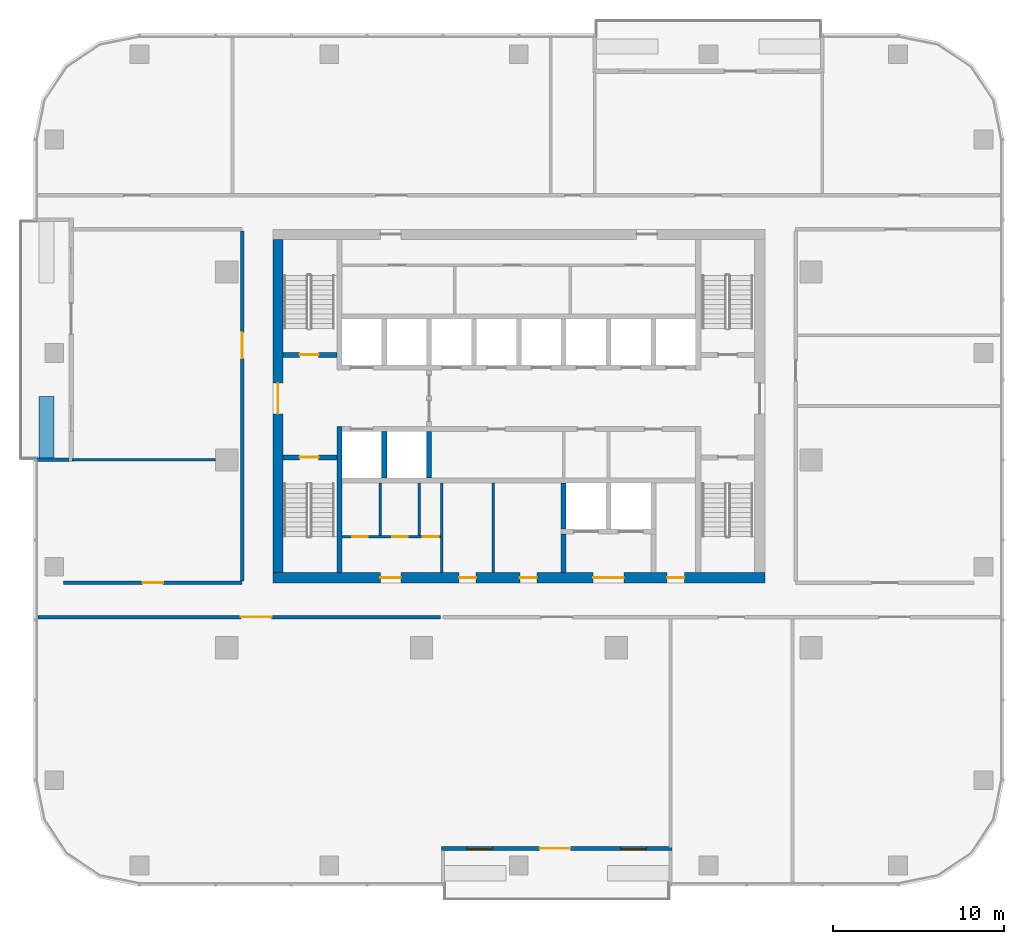
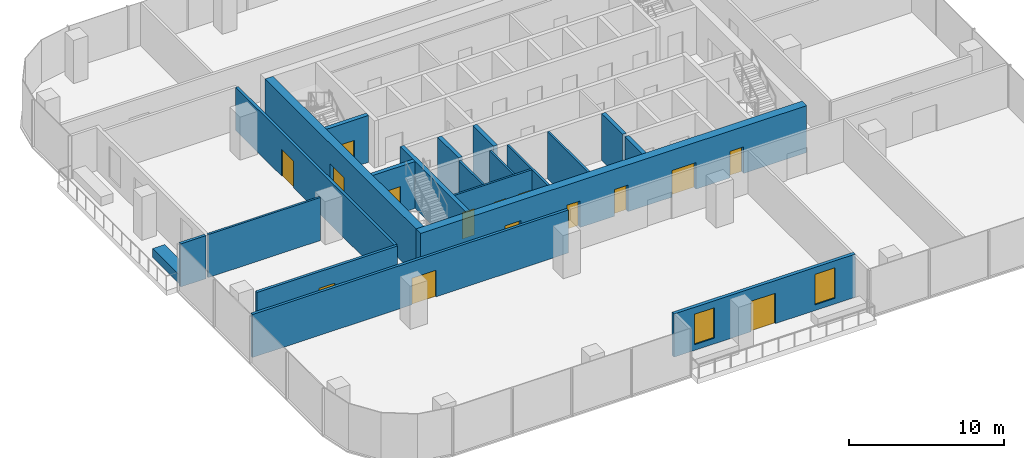
# One storey, part 7 of 14: 21 walls, 15 doors, 2 windows, 17 openings.
"""IFC4 building model written with IfcOpenShell, lengths in metres."""

from ifc_helpers import new_model, si_unit, direction, frame, frame_2d, origin, place, context, subcontext, project, spatial, rectangle, extrude, material, layer, layer_set, type_object, element, fill, save


model = new_model("IFC4")

# Units and contexts
model_context = context("Model", 3, precision=1e-05, world=origin(), true_north=direction((0.0, 1.0)))
body_context = subcontext(model_context, "Body", "Model", "MODEL_VIEW")
ifc_project = project(units=[si_unit("LENGTHUNIT", "METRE"), si_unit("AREAUNIT", "SQUARE_METRE"), si_unit("VOLUMEUNIT", "CUBIC_METRE"), si_unit("PLANEANGLEUNIT", "RADIAN"), si_unit("MASSUNIT", "GRAM", prefix="KILO")], contexts=[model_context])

# Site, building, storey
site_placement = place(None, origin())
site = spatial("IfcSite", under=ifc_project, at=site_placement, CompositionType="ELEMENT")
building_placement = place(site_placement, origin())
building = spatial("IfcBuilding", under=site, at=building_placement, Name="Mopane Tessera Tower", CompositionType="ELEMENT")
storey_placement = place(building_placement, frame((0.0, 0.0, 255.0)))
storey = spatial("IfcBuildingStorey", under=building, at=storey_placement, Name="L55", CompositionType="ELEMENT", Elevation=255.0)

# Wall, openings, doors
ifc_material_1 = material(Name="Fire-rated gypsum board partition")
ifc_layer_1 = layer(ifc_material_1, 0.14990234375)
ifc_layer_set_1 = layer_set([ifc_layer_1], Name="Fire-rated gypsum board partition")
wall_type_1 = type_object("IfcWallType", Name="Core room partition 150 mm", PredefinedType="PARTITIONING", material=ifc_layer_set_1)
wall_1_placement = place(storey_placement, frame((-10.35009765625, -4.5, 0.0), z_axis=(0.0, 0.0, 1.0), x_axis=(1.0, 0.0, 0.0)))
wall_1 = element("IfcWall", 1, at=wall_1_placement, inside=storey, type_object=wall_type_1, Name="L55 WC partition", PredefinedType="PARTITIONING", context=body_context, shape_type="SweptSolid", body=[
    extrude(rectangle(XDim=5.775146484375, YDim=0.14990234375, at=frame_2d((2.8876953125, 0.0))), origin(), (0.0, 0.0, 1.0), 3.699951171875),
])
opening_1_placement = place(wall_1_placement, frame((0.60009765625, 0.0, 0.0)))
opening_1 = element("IfcOpeningElement", 2, at=opening_1_placement, cuts=wall_1, Name="Opening WD1", PredefinedType="OPENING", context=body_context, shape_type="SweptSolid", body=[
    extrude(rectangle(XDim=0.89990234375, YDim=2.10009765625, at=frame_2d((0.449951171875, 1.050048828125))), frame((0.0, 0.0869140625, 0.0), z_axis=(0.0, -1.0, 0.0), x_axis=(1.0, 0.0, 0.0)), (0.0, 0.0, 1.0), 0.173828125),
])
opening_2_placement = place(wall_1_placement, frame((2.93994140625, 0.0, 0.0)))
opening_2 = element("IfcOpeningElement", 3, at=opening_2_placement, cuts=wall_1, Name="Opening WD1", PredefinedType="OPENING", context=body_context, shape_type="SweptSolid", body=[
    extrude(rectangle(XDim=0.89990234375, YDim=2.10009765625, at=frame_2d((0.449951171875, 1.050048828125))), frame((0.0, 0.0869140625, 0.0), z_axis=(0.0, -1.0, 0.0), x_axis=(1.0, 0.0, 0.0)), (0.0, 0.0, 1.0), 0.173828125),
])
opening_3_placement = place(wall_1_placement, frame((4.715087890625, 0.0, 0.0)))
opening_3 = element("IfcOpeningElement", 4, at=opening_3_placement, cuts=wall_1, Name="Opening WD2", PredefinedType="OPENING", context=body_context, shape_type="SweptSolid", body=[
    extrude(rectangle(XDim=0.949951171875, YDim=2.10009765625, at=frame_2d((0.47509765625, 1.050048828125))), frame((0.0, 0.0869140625, 0.0), z_axis=(0.0, -1.0, 0.0), x_axis=(1.0, 0.0, 0.0)), (0.0, 0.0, 1.0), 0.173828125),
])
ifc_material_2 = material(Name="Timber door", Category="wood")
door_type_1 = type_object("IfcDoorType", Name="Accessible WC door 950 x 2100", OperationType="SINGLE_SWING_LEFT", PredefinedType="DOOR", material=ifc_material_2)
door_1_placement = place(opening_3_placement, origin())
door_1 = element("IfcDoor", 5, at=door_1_placement, inside=storey, type_object=door_type_1, Name="L55 Accessible WC door", OperationType="SINGLE_SWING_LEFT", OverallHeight=2.10009765625, OverallWidth=0.949951171875, PredefinedType="DOOR", context=body_context, shape_type="SweptSolid", body=[
    extrude(rectangle(XDim=0.949951171875, YDim=2.10009765625, at=frame_2d((0.47509765625, 1.050048828125))), frame((0.0, 0.02490234375, 0.0), z_axis=(0.0, -1.0, 0.0), x_axis=(1.0, 0.0, 0.0)), (0.0, 0.0, 1.0), 0.050048828125),
])
fill(opening_3, door_1)
ifc_material_3 = material(Name="Timber door", Category="wood")
door_type_2 = type_object("IfcDoorType", Name="WC cubicle door 900 x 2100", OperationType="SINGLE_SWING_LEFT", PredefinedType="DOOR", material=ifc_material_3)
door_2_placement = place(opening_1_placement, origin())
door_2 = element("IfcDoor", 6, at=door_2_placement, inside=storey, type_object=door_type_2, Name="L55 Men's WC door", OperationType="SINGLE_SWING_LEFT", OverallHeight=2.10009765625, OverallWidth=0.89990234375, PredefinedType="DOOR", context=body_context, shape_type="SweptSolid", body=[
    extrude(rectangle(XDim=0.89990234375, YDim=2.10009765625, at=frame_2d((0.449951171875, 1.050048828125))), frame((0.0, 0.02490234375, 0.0), z_axis=(0.0, -1.0, 0.0), x_axis=(1.0, 0.0, 0.0)), (0.0, 0.0, 1.0), 0.050048828125),
])
fill(opening_1, door_2)
door_3_placement = place(opening_2_placement, origin())
door_3 = element("IfcDoor", 7, at=door_3_placement, inside=storey, type_object=door_type_2, Name="L55 Women's WC door", OperationType="SINGLE_SWING_LEFT", OverallHeight=2.10009765625, OverallWidth=0.89990234375, PredefinedType="DOOR", context=body_context, shape_type="SweptSolid", body=[
    extrude(rectangle(XDim=0.89990234375, YDim=2.10009765625, at=frame_2d((0.449951171875, 1.050048828125))), frame((0.0, 0.02490234375, 0.0), z_axis=(0.0, -1.0, 0.0), x_axis=(1.0, 0.0, 0.0)), (0.0, 0.0, 1.0), 0.050048828125),
])
fill(opening_2, door_3)

# Walls
for number, where, z_axis, x_axis, name in (
    (8, (-8.10009765625, -4.425048828125, 0.0), (0.0, 0.0, 1.0), (0.0, 1.0, 0.0), "L55 WC partition"),
    (9, (-5.820068359375, -4.425048828125, 0.0), (0.0, 0.0, 1.0), (0.0, 1.0, 0.0), "L55 WC partition"),
):
    element("IfcWall", number, at=place(storey_placement, frame(where, z_axis=z_axis, x_axis=x_axis)), inside=storey, type_object=wall_type_1, Name=name, PredefinedType="PARTITIONING", context=body_context, shape_type="SweptSolid", body=[
        extrude(rectangle(XDim=3.074951171875, YDim=0.14990234375, at=frame_2d((1.53759765625, 0.0))), origin(), (0.0, 0.0, 1.0), 3.699951171875),
    ])
for number, where, z_axis, x_axis, name in (
    (10, (-4.5, -6.60009765625, 0.0), (0.0, 0.0, 1.0), (0.0, 1.0, 0.0), "L55 Room partition"),
    (11, (-1.5, -6.60009765625, 0.0), (0.0, 0.0, 1.0), (0.0, 1.0, 0.0), "L55 Room partition"),
):
    element("IfcWall", number, at=place(storey_placement, frame(where, z_axis=z_axis, x_axis=x_axis)), inside=storey, type_object=wall_type_1, Name=name, PredefinedType="PARTITIONING", context=body_context, shape_type="SweptSolid", body=[
        extrude(rectangle(XDim=5.25, YDim=0.14990234375, at=frame_2d((2.625, 0.0))), origin(), (0.0, 0.0, 1.0), 3.699951171875),
    ])

# Wall, openings, doors
ifc_material_4 = material(Name="Concrete C70/85", Category="concrete")
ifc_layer_2 = layer(ifc_material_4, 0.60009765625)
ifc_layer_set_2 = layer_set([ifc_layer_2], Name="Concrete C70/85")
wall_type_2 = type_object("IfcWallType", Name="Core shear wall 600 mm", PredefinedType="SHEAR", material=ifc_layer_set_2)
wall_2_placement = place(storey_placement, frame((-14.39990234375, -6.89990234375, 0.0), z_axis=(0.0, 0.0, 1.0), x_axis=(1.0, 0.0, 0.0)))
wall_2 = element("IfcWall", 12, at=wall_2_placement, inside=storey, type_object=wall_type_2, Name="L55 Core wall south", PredefinedType="SHEAR", context=body_context, shape_type="SweptSolid", body=[
    extrude(rectangle(XDim=28.7998046875, YDim=0.60009765625, at=frame_2d((14.39990234375, 0.0))), origin(), (0.0, 0.0, 1.0), 3.699951171875),
])
opening_4_placement = place(wall_2_placement, frame((6.300048828125, 0.0, 0.0)))
opening_4 = element("IfcOpeningElement", 13, at=opening_4_placement, cuts=wall_2, Name="Opening WD3", PredefinedType="OPENING", context=body_context, shape_type="SweptSolid", body=[
    extrude(rectangle(XDim=1.199951171875, YDim=2.10009765625, at=frame_2d((0.60009765625, 1.050048828125))), frame((0.0, 0.31201171875, 0.0), z_axis=(0.0, -1.0, 0.0), x_axis=(1.0, 0.0, 0.0)), (0.0, 0.0, 1.0), 0.6240234375),
])
opening_5_placement = place(wall_2_placement, frame((10.89990234375, 0.0, 0.0)))
opening_5 = element("IfcOpeningElement", 14, at=opening_5_placement, cuts=wall_2, Name="Opening RD1", PredefinedType="OPENING", context=body_context, shape_type="SweptSolid", body=[
    extrude(rectangle(XDim=1.0, YDim=2.10009765625, at=frame_2d((0.5, 1.050048828125))), frame((0.0, 0.31201171875, 0.0), z_axis=(0.0, -1.0, 0.0), x_axis=(1.0, 0.0, 0.0)), (0.0, 0.0, 1.0), 0.6240234375),
])
opening_6_placement = place(wall_2_placement, frame((14.46240234375, 0.0, 0.0)))
opening_6 = element("IfcOpeningElement", 15, at=opening_6_placement, cuts=wall_2, Name="Opening RD1", PredefinedType="OPENING", context=body_context, shape_type="SweptSolid", body=[
    extrude(rectangle(XDim=1.0, YDim=2.10009765625, at=frame_2d((0.5, 1.050048828125))), frame((0.0, 0.31201171875, 0.0), z_axis=(0.0, -1.0, 0.0), x_axis=(1.0, 0.0, 0.0)), (0.0, 0.0, 1.0), 0.6240234375),
])
opening_7_placement = place(wall_2_placement, frame((18.75, 0.0, 0.0)))
opening_7 = element("IfcOpeningElement", 16, at=opening_7_placement, cuts=wall_2, Name="Opening SD2", PredefinedType="OPENING", context=body_context, shape_type="SweptSolid", body=[
    extrude(rectangle(XDim=1.800048828125, YDim=2.10009765625, at=frame_2d((0.89990234375, 1.050048828125))), frame((0.0, 0.31201171875, 0.0), z_axis=(0.0, -1.0, 0.0), x_axis=(1.0, 0.0, 0.0)), (0.0, 0.0, 1.0), 0.6240234375),
])
opening_8_placement = place(wall_2_placement, frame((23.08740234375, 0.0, 0.0)))
opening_8 = element("IfcOpeningElement", 17, at=opening_8_placement, cuts=wall_2, Name="Opening RD1", PredefinedType="OPENING", context=body_context, shape_type="SweptSolid", body=[
    extrude(rectangle(XDim=1.0, YDim=2.10009765625, at=frame_2d((0.5, 1.050048828125))), frame((0.0, 0.31201171875, 0.0), z_axis=(0.0, -1.0, 0.0), x_axis=(1.0, 0.0, 0.0)), (0.0, 0.0, 1.0), 0.6240234375),
])
ifc_material_5 = material(Name="Steel fire door", Category="steel")
door_type_3 = type_object("IfcDoorType", Name="Core entrance double door 1800 x 2100", OperationType="DOUBLE_DOOR_SINGLE_SWING", PredefinedType="DOOR", material=ifc_material_5)
door_4_placement = place(opening_7_placement, origin())
door_4 = element("IfcDoor", 18, at=door_4_placement, inside=storey, type_object=door_type_3, Name="L55 Service lobby door", OperationType="DOUBLE_DOOR_SINGLE_SWING", OverallHeight=2.10009765625, OverallWidth=1.800048828125, PredefinedType="DOOR", context=body_context, shape_type="SweptSolid", body=[
    extrude(rectangle(XDim=1.800048828125, YDim=2.10009765625, at=frame_2d((0.89990234375, 1.050048828125))), frame((0.0, 0.02490234375, 0.0), z_axis=(0.0, -1.0, 0.0), x_axis=(1.0, 0.0, 0.0)), (0.0, 0.0, 1.0), 0.050048828125),
])
fill(opening_7, door_4)
ifc_material_6 = material(Name="Timber door", Category="wood")
door_type_4 = type_object("IfcDoorType", Name="Core room door 1000 x 2100", OperationType="SINGLE_SWING_LEFT", PredefinedType="DOOR", material=ifc_material_6)
door_5_placement = place(opening_5_placement, origin())
door_5 = element("IfcDoor", 19, at=door_5_placement, inside=storey, type_object=door_type_4, Name="L55 Room door", OperationType="SINGLE_SWING_LEFT", OverallHeight=2.10009765625, OverallWidth=1.0, PredefinedType="DOOR", context=body_context, shape_type="SweptSolid", body=[
    extrude(rectangle(XDim=1.0, YDim=2.10009765625, at=frame_2d((0.5, 1.050048828125))), frame((0.0, 0.02490234375, 0.0), z_axis=(0.0, -1.0, 0.0), x_axis=(1.0, 0.0, 0.0)), (0.0, 0.0, 1.0), 0.050048828125),
])
fill(opening_5, door_5)
door_6_placement = place(opening_6_placement, origin())
door_6 = element("IfcDoor", 20, at=door_6_placement, inside=storey, type_object=door_type_4, Name="L55 Room door", OperationType="SINGLE_SWING_LEFT", OverallHeight=2.10009765625, OverallWidth=1.0, PredefinedType="DOOR", context=body_context, shape_type="SweptSolid", body=[
    extrude(rectangle(XDim=1.0, YDim=2.10009765625, at=frame_2d((0.5, 1.050048828125))), frame((0.0, 0.02490234375, 0.0), z_axis=(0.0, -1.0, 0.0), x_axis=(1.0, 0.0, 0.0)), (0.0, 0.0, 1.0), 0.050048828125),
])
fill(opening_6, door_6)
door_7_placement = place(opening_8_placement, origin())
door_7 = element("IfcDoor", 21, at=door_7_placement, inside=storey, type_object=door_type_4, Name="L55 Room door", OperationType="SINGLE_SWING_LEFT", OverallHeight=2.10009765625, OverallWidth=1.0, PredefinedType="DOOR", context=body_context, shape_type="SweptSolid", body=[
    extrude(rectangle(XDim=1.0, YDim=2.10009765625, at=frame_2d((0.5, 1.050048828125))), frame((0.0, 0.02490234375, 0.0), z_axis=(0.0, -1.0, 0.0), x_axis=(1.0, 0.0, 0.0)), (0.0, 0.0, 1.0), 0.050048828125),
])
fill(opening_8, door_7)
ifc_material_7 = material(Name="Timber door", Category="wood")
door_type_5 = type_object("IfcDoorType", Name="WC lobby door 1200 x 2100", OperationType="SINGLE_SWING_LEFT", PredefinedType="DOOR", material=ifc_material_7)
door_8_placement = place(opening_4_placement, origin())
door_8 = element("IfcDoor", 22, at=door_8_placement, inside=storey, type_object=door_type_5, Name="L55 WC lobby door", OperationType="SINGLE_SWING_LEFT", OverallHeight=2.10009765625, OverallWidth=1.199951171875, PredefinedType="DOOR", context=body_context, shape_type="SweptSolid", body=[
    extrude(rectangle(XDim=1.199951171875, YDim=2.10009765625, at=frame_2d((0.60009765625, 1.050048828125))), frame((0.0, 0.02490234375, 0.0), z_axis=(0.0, -1.0, 0.0), x_axis=(1.0, 0.0, 0.0)), (0.0, 0.0, 1.0), 0.050048828125),
])
fill(opening_4, door_8)

# Wall, opening, door
wall_3_placement = place(storey_placement, frame((-14.10009765625, -6.60009765625, 0.0), z_axis=(0.0, 0.0, 1.0), x_axis=(0.0, 1.0, 0.0)))
wall_3 = element("IfcWall", 23, at=wall_3_placement, inside=storey, type_object=wall_type_2, Name="L55 Core wall west", PredefinedType="SHEAR", context=body_context, shape_type="SweptSolid", body=[
    extrude(rectangle(XDim=19.5, YDim=0.60009765625, at=frame_2d((9.75, 0.0))), origin(), (0.0, 0.0, 1.0), 3.699951171875),
])
opening_9_placement = place(wall_3_placement, frame((9.300048828125, 0.0, 0.0)))
opening_9 = element("IfcOpeningElement", 24, at=opening_9_placement, cuts=wall_3, Name="Opening SD2", PredefinedType="OPENING", context=body_context, shape_type="SweptSolid", body=[
    extrude(rectangle(XDim=1.800048828125, YDim=2.10009765625, at=frame_2d((0.89990234375, 1.050048828125))), frame((0.0, 0.31201171875, 0.0), z_axis=(0.0, -1.0, 0.0), x_axis=(1.0, 0.0, 0.0)), (0.0, 0.0, 1.0), 0.6240234375),
])
door_9_placement = place(opening_9_placement, origin())
door_9 = element("IfcDoor", 25, at=door_9_placement, inside=storey, type_object=door_type_3, Name="L55 Core entrance door west", OperationType="DOUBLE_DOOR_SINGLE_SWING", OverallHeight=2.10009765625, OverallWidth=1.800048828125, PredefinedType="DOOR", context=body_context, shape_type="SweptSolid", body=[
    extrude(rectangle(XDim=1.800048828125, YDim=2.10009765625, at=frame_2d((0.89990234375, 1.050048828125))), frame((0.0, 0.02490234375, 0.0), z_axis=(0.0, -1.0, 0.0), x_axis=(1.0, 0.0, 0.0)), (0.0, 0.0, 1.0), 0.050048828125),
])
fill(opening_9, door_9)

# Wall
ifc_material_8 = material(Name="Concrete C60/75", Category="concrete")
ifc_layer_3 = layer(ifc_material_8, 0.300048828125)
ifc_layer_set_3 = layer_set([ifc_layer_3], Name="Concrete C60/75")
wall_type_3 = type_object("IfcWallType", Name="Core spine wall 300 mm", PredefinedType="SHEAR", material=ifc_layer_set_3)
wall_4_placement = place(storey_placement, frame((-10.5, -6.60009765625, 0.0), z_axis=(0.0, 0.0, 1.0), x_axis=(0.0, 1.0, 0.0)))
element("IfcWall", 26, at=wall_4_placement, inside=storey, type_object=wall_type_3, Name="L55 Core spine wall", PredefinedType="SHEAR", context=body_context, shape_type="SweptSolid", body=[
    extrude(rectangle(XDim=8.550048828125, YDim=0.300048828125, at=frame_2d((4.27490234375, 0.0))), origin(), (0.0, 0.0, 1.0), 3.699951171875),
])

# Wall, opening, door
ifc_material_9 = material(Name="Gypsum board on steel studs, two layers each face, mineral wool infill", Category="steel")
ifc_layer_4 = layer(ifc_material_9, 0.199951171875)
ifc_layer_set_4 = layer_set([ifc_layer_4], Name="Gypsum board on steel studs, two layers each face, mineral wool infill")
wall_type_4 = type_object("IfcWallType", Name="Gypsum board corridor wall 200, rated EI 60", PredefinedType="PARTITIONING", material=ifc_layer_set_4)
wall_5_placement = place(storey_placement, frame((-28.14990234375, -9.199951171875, 0.0), z_axis=(0.0, 0.0, 1.0), x_axis=(1.0, 0.0, 0.0)))
wall_5 = element("IfcWall", 27, at=wall_5_placement, inside=storey, type_object=wall_type_4, Name="Partition L55:000", PredefinedType="PARTITIONING", context=body_context, shape_type="SweptSolid", body=[
    extrude(rectangle(XDim=23.559814453125, YDim=0.199951171875, at=frame_2d((11.77978515625, 0.0))), origin(), (0.0, 0.0, 1.0), 3.39990234375),
])
opening_10_placement = place(wall_5_placement, frame((11.8798828125, 0.0, 0.0)))
opening_10 = element("IfcOpeningElement", 28, at=opening_10_placement, cuts=wall_5, Name="Opening L55-09", PredefinedType="OPENING", context=body_context, shape_type="SweptSolid", body=[
    extrude(rectangle(XDim=1.800048828125, YDim=2.10009765625, at=frame_2d((0.89990234375, 1.050048828125))), frame((0.0, 0.112060546875, 0.0), z_axis=(0.0, -1.0, 0.0), x_axis=(1.0, 0.0, 0.0)), (0.0, 0.0, 1.0), 0.223876953125),
])
ifc_material_10 = material(Name="Timber veneered steel-framed fire door", Category="steel")
door_type_6 = type_object("IfcDoorType", Name="Fire door pair FD60 1800 x 2100", OperationType="DOUBLE_DOOR_SINGLE_SWING", PredefinedType="DOOR", material=ifc_material_10)
door_10_placement = place(opening_10_placement, origin())
door_10 = element("IfcDoor", 29, at=door_10_placement, inside=storey, type_object=door_type_6, Name="Door L55-09", ObjectType="D20A", OperationType="DOUBLE_DOOR_SINGLE_SWING", OverallHeight=2.10009765625, OverallWidth=1.800048828125, PredefinedType="DOOR", context=body_context, shape_type="SweptSolid", body=[
    extrude(rectangle(XDim=1.800048828125, YDim=2.10009765625, at=frame_2d((0.89990234375, 1.050048828125))), frame((0.0, 0.02490234375, 0.0), z_axis=(0.0, -1.0, 0.0), x_axis=(1.0, 0.0, 0.0)), (0.0, 0.0, 1.0), 0.050048828125),
])
fill(opening_10, door_10)

wall_6_placement = place(storey_placement, frame((-26.64990234375, -7.199951171875, 0.0), z_axis=(0.0, 0.0, 1.0), x_axis=(1.0, 0.0, 0.0)))
wall_6 = element("IfcWall", 30, at=wall_6_placement, inside=storey, type_object=wall_type_4, Name="Partition L55:002", PredefinedType="PARTITIONING", context=body_context, shape_type="SweptSolid", body=[
    extrude(rectangle(XDim=10.449951171875, YDim=0.199951171875, at=frame_2d((5.22509765625, 0.0))), origin(), (0.0, 0.0, 1.0), 3.39990234375),
])
opening_11_placement = place(wall_6_placement, frame((4.625, 0.0, 0.0)))
opening_11 = element("IfcOpeningElement", 31, at=opening_11_placement, cuts=wall_6, Name="Opening L55-08", PredefinedType="OPENING", context=body_context, shape_type="SweptSolid", body=[
    extrude(rectangle(XDim=1.199951171875, YDim=2.10009765625, at=frame_2d((0.60009765625, 1.050048828125))), frame((0.0, 0.112060546875, 0.0), z_axis=(0.0, -1.0, 0.0), x_axis=(1.0, 0.0, 0.0)), (0.0, 0.0, 1.0), 0.223876953125),
])
ifc_material_11 = material(Name="Timber veneered steel-framed fire door", Category="steel")
door_type_7 = type_object("IfcDoorType", Name="Fire door FD60 1200 x 2100", OperationType="SINGLE_SWING_LEFT", PredefinedType="DOOR", material=ifc_material_11)
door_11_placement = place(opening_11_placement, origin())
door_11 = element("IfcDoor", 32, at=door_11_placement, inside=storey, type_object=door_type_7, Name="Door L55-08", ObjectType="D15A", OperationType="SINGLE_SWING_LEFT", OverallHeight=2.10009765625, OverallWidth=1.199951171875, PredefinedType="DOOR", context=body_context, shape_type="SweptSolid", body=[
    extrude(rectangle(XDim=1.199951171875, YDim=2.10009765625, at=frame_2d((0.60009765625, 1.050048828125))), frame((0.0, 0.02490234375, 0.0), z_axis=(0.0, -1.0, 0.0), x_axis=(1.0, 0.0, 0.0)), (0.0, 0.0, 1.0), 0.050048828125),
])
fill(opening_11, door_11)

wall_7_placement = place(storey_placement, frame((-16.199951171875, -7.10009765625, 0.0), z_axis=(0.0, 0.0, 1.0), x_axis=(0.0, 1.0, 0.0)))
wall_7 = element("IfcWall", 33, at=wall_7_placement, inside=storey, type_object=wall_type_4, Name="Partition L55:011", PredefinedType="PARTITIONING", context=body_context, shape_type="SweptSolid", body=[
    extrude(rectangle(XDim=20.5, YDim=0.199951171875, at=frame_2d((10.25, 0.0))), origin(), (0.0, 0.0, 1.0), 3.39990234375),
])
opening_12_placement = place(wall_7_placement, frame((13.050048828125, 0.0, 0.0)))
opening_12 = element("IfcOpeningElement", 34, at=opening_12_placement, cuts=wall_7, Name="Opening L55-03", PredefinedType="OPENING", context=body_context, shape_type="SweptSolid", body=[
    extrude(rectangle(XDim=1.5, YDim=2.10009765625, at=frame_2d((0.75, 1.050048828125))), frame((0.0, 0.112060546875, 0.0), z_axis=(0.0, -1.0, 0.0), x_axis=(1.0, 0.0, 0.0)), (0.0, 0.0, 1.0), 0.223876953125),
])
ifc_material_12 = material(Name="Timber veneered steel-framed fire door", Category="steel")
door_type_8 = type_object("IfcDoorType", Name="Fire door pair FD60 1500 x 2100", OperationType="DOUBLE_DOOR_SINGLE_SWING", PredefinedType="DOOR", material=ifc_material_12)
door_12_placement = place(opening_12_placement, origin())
door_12 = element("IfcDoor", 35, at=door_12_placement, inside=storey, type_object=door_type_8, Name="Door L55-03", ObjectType="D17A", OperationType="DOUBLE_DOOR_SINGLE_SWING", OverallHeight=2.10009765625, OverallWidth=1.5, PredefinedType="DOOR", context=body_context, shape_type="SweptSolid", body=[
    extrude(rectangle(XDim=1.5, YDim=2.10009765625, at=frame_2d((0.75, 1.050048828125))), frame((0.0, 0.02490234375, 0.0), z_axis=(0.0, -1.0, 0.0), x_axis=(1.0, 0.0, 0.0)), (0.0, 0.0, 1.0), 0.050048828125),
])
fill(opening_12, door_12)

# Wall
ifc_material_13 = material(Name="Gypsum board on steel studs, mineral wool infill", Category="steel")
ifc_layer_5 = layer(ifc_material_13, 0.14990234375)
ifc_layer_set_5 = layer_set([ifc_layer_5], Name="Gypsum board on steel studs, mineral wool infill")
wall_type_5 = type_object("IfcWallType", Name="Gypsum board partition 150, rated EI 60", PredefinedType="PARTITIONING", material=ifc_layer_set_5)
wall_8_placement = place(storey_placement, frame((-26.14990234375, 0.0, 0.0), z_axis=(0.0, 0.0, 1.0), x_axis=(1.0, 0.0, 0.0)))
element("IfcWall", 36, at=wall_8_placement, inside=storey, type_object=wall_type_5, Name="Partition L55:004", PredefinedType="PARTITIONING", context=body_context, shape_type="SweptSolid", body=[
    extrude(rectangle(XDim=8.39990234375, YDim=0.14990234375, at=frame_2d((4.199951171875, 0.0))), origin(), (0.0, 0.0, 1.0), 3.39990234375),
])

# Wall, opening, door
ifc_material_14 = material(Name="Concrete C50/60", Category="concrete")
ifc_layer_6 = layer(ifc_material_14, 0.300048828125)
ifc_layer_set_6 = layer_set([ifc_layer_6], Name="Concrete C50/60")
wall_type_6 = type_object("IfcWallType", Name="Lift and stair shaft wall 300 mm", PredefinedType="SOLIDWALL", material=ifc_layer_set_6)
wall_9_placement = place(storey_placement, frame((-13.800048828125, 0.14990234375, 0.0), z_axis=(0.0, 0.0, 1.0), x_axis=(1.0, 0.0, 0.0)))
wall_9 = element("IfcWall", 37, at=wall_9_placement, inside=storey, type_object=wall_type_6, Name="L55 Stair enclosure wall", PredefinedType="SOLIDWALL", context=body_context, shape_type="SweptSolid", body=[
    extrude(rectangle(XDim=3.150146484375, YDim=0.300048828125, at=frame_2d((1.5751953125, 0.0))), origin(), (0.0, 0.0, 1.0), 3.699951171875),
])
opening_13_placement = place(wall_9_placement, frame((0.97509765625, 0.0, 0.0)))
opening_13 = element("IfcOpeningElement", 38, at=opening_13_placement, cuts=wall_9, Name="Opening SD1", PredefinedType="OPENING", context=body_context, shape_type="SweptSolid", body=[
    extrude(rectangle(XDim=1.10009765625, YDim=2.10009765625, at=frame_2d((0.550048828125, 1.050048828125))), frame((0.0, 0.162109375, 0.0), z_axis=(0.0, -1.0, 0.0), x_axis=(1.0, 0.0, 0.0)), (0.0, 0.0, 1.0), 0.323974609375),
])
ifc_material_15 = material(Name="Steel fire door", Category="steel")
door_type_9 = type_object("IfcDoorType", Name="Stair fire door 1100 x 2100", OperationType="SINGLE_SWING_LEFT", PredefinedType="DOOR", material=ifc_material_15)
door_13_placement = place(opening_13_placement, origin())
door_13 = element("IfcDoor", 39, at=door_13_placement, inside=storey, type_object=door_type_9, Name="L55 Stair door ST1", OperationType="SINGLE_SWING_LEFT", OverallHeight=2.10009765625, OverallWidth=1.10009765625, PredefinedType="DOOR", context=body_context, shape_type="SweptSolid", body=[
    extrude(rectangle(XDim=1.10009765625, YDim=2.10009765625, at=frame_2d((0.550048828125, 1.050048828125))), frame((0.0, 0.02490234375, 0.0), z_axis=(0.0, -1.0, 0.0), x_axis=(1.0, 0.0, 0.0)), (0.0, 0.0, 1.0), 0.050048828125),
])
fill(opening_13, door_13)

wall_10_placement = place(storey_placement, frame((-13.800048828125, 6.14990234375, 0.0), z_axis=(0.0, 0.0, 1.0), x_axis=(1.0, 0.0, 0.0)))
wall_10 = element("IfcWall", 40, at=wall_10_placement, inside=storey, type_object=wall_type_6, Name="L55 Stair enclosure wall", PredefinedType="SOLIDWALL", context=body_context, shape_type="SweptSolid", body=[
    extrude(rectangle(XDim=3.150146484375, YDim=0.300048828125, at=frame_2d((1.5751953125, 0.0))), origin(), (0.0, 0.0, 1.0), 3.699951171875),
])
opening_14_placement = place(wall_10_placement, frame((0.97509765625, 0.0, 0.0)))
opening_14 = element("IfcOpeningElement", 41, at=opening_14_placement, cuts=wall_10, Name="Opening SD1", PredefinedType="OPENING", context=body_context, shape_type="SweptSolid", body=[
    extrude(rectangle(XDim=1.10009765625, YDim=2.10009765625, at=frame_2d((0.550048828125, 1.050048828125))), frame((0.0, 0.162109375, 0.0), z_axis=(0.0, -1.0, 0.0), x_axis=(1.0, 0.0, 0.0)), (0.0, 0.0, 1.0), 0.323974609375),
])
door_14_placement = place(opening_14_placement, origin())
door_14 = element("IfcDoor", 42, at=door_14_placement, inside=storey, type_object=door_type_9, Name="L55 Stair door ST2", OperationType="SINGLE_SWING_LEFT", OverallHeight=2.10009765625, OverallWidth=1.10009765625, PredefinedType="DOOR", context=body_context, shape_type="SweptSolid", body=[
    extrude(rectangle(XDim=1.10009765625, YDim=2.10009765625, at=frame_2d((0.550048828125, 1.050048828125))), frame((0.0, 0.02490234375, 0.0), z_axis=(0.0, -1.0, 0.0), x_axis=(1.0, 0.0, 0.0)), (0.0, 0.0, 1.0), 0.050048828125),
])
fill(opening_14, door_14)

# Walls
for number, where, z_axis, x_axis, name in (
    (43, (-7.875, -1.050048828125, 0.0), (0.0, 0.0, 1.0), (0.0, 1.0, 0.0), "L55 Lift shaft wall"),
    (44, (-5.25, -1.050048828125, 0.0), (0.0, 0.0, 1.0), (0.0, 1.0, 0.0), "L55 Lift shaft wall"),
    (45, (2.625, -4.050048828125, 0.0), (0.0, 0.0, 1.0), (0.0, 1.0, 0.0), "L55 Lift shaft wall"),
):
    element("IfcWall", number, at=place(storey_placement, frame(where, z_axis=z_axis, x_axis=x_axis)), inside=storey, type_object=wall_type_6, Name=name, PredefinedType="SOLIDWALL", context=body_context, shape_type="SweptSolid", body=[
        extrude(rectangle(XDim=2.699951171875, YDim=0.300048828125, at=frame_2d((1.35009765625, 0.0))), origin(), (0.0, 0.0, 1.0), 3.699951171875),
    ])
ifc_material_16 = material(Name="Concrete C50/60", Category="concrete")
ifc_layer_7 = layer(ifc_material_16, 0.300048828125)
ifc_layer_set_7 = layer_set([ifc_layer_7], Name="Concrete C50/60")
wall_type_7 = type_object("IfcWallType", Name="Lobby and refuge room wall 300 mm", PredefinedType="SOLIDWALL", material=ifc_layer_set_7)
wall_11_placement = place(storey_placement, frame((2.625, -6.60009765625, 0.0), z_axis=(0.0, 0.0, 1.0), x_axis=(0.0, 1.0, 0.0)))
element("IfcWall", 46, at=wall_11_placement, inside=storey, type_object=wall_type_7, Name="L55 Service lobby wall", PredefinedType="SOLIDWALL", context=body_context, shape_type="SweptSolid", body=[
    extrude(rectangle(XDim=2.25, YDim=0.300048828125, at=frame_2d((1.125, 0.0))), origin(), (0.0, 0.0, 1.0), 3.699951171875),
])
ifc_material_17 = material(Name="Reinforced concrete C32/40 with waterproofing", Category="concrete")
ifc_layer_8 = layer(ifc_material_17, 0.89990234375)
ifc_layer_set_8 = layer_set([ifc_layer_8], Name="Reinforced concrete C32/40 with waterproofing")
wall_type_8 = type_object("IfcWallType", Name="Planter trough 3600 x 900", PredefinedType="STANDARD", material=ifc_layer_set_8)
wall_12_placement = place(storey_placement, frame((-27.64990234375, 3.699951171875, 0.0), z_axis=(0.0, 0.0, 1.0), x_axis=(0.0, -1.0, 0.0)))
element("IfcWall", 47, at=wall_12_placement, inside=storey, type_object=wall_type_8, Name="e:nw:L55:N3:pl1", PredefinedType="STANDARD", context=body_context, shape_type="SweptSolid", body=[
    extrude(rectangle(XDim=3.599853515625, YDim=0.89990234375, at=frame_2d((1.7998046875, 0.0))), origin(), (0.0, 0.0, 1.0), 0.699951171875),
])
ifc_material_18 = material(Name="Blockwork with glazed tile facing", Category="masonry")
ifc_layer_9 = layer(ifc_material_18, 0.199951171875)
ifc_layer_set_9 = layer_set([ifc_layer_9], Name="Blockwork with glazed tile facing")
wall_type_9 = type_object("IfcWallType", Name="Terrace cheek wall 200", PredefinedType="STANDARD", material=ifc_layer_set_9)
wall_13_placement = place(storey_placement, frame((-28.199951171875, 0.0, 0.0), z_axis=(0.0, 0.0, 1.0), x_axis=(1.0, 0.0, 0.0)))
element("IfcWall", 48, at=wall_13_placement, inside=storey, type_object=wall_type_9, Name="e:nw:L55:N3:cheekb", PredefinedType="STANDARD", context=body_context, shape_type="SweptSolid", body=[
    extrude(rectangle(XDim=1.875, YDim=0.199951171875, at=frame_2d((0.9375, 0.0))), origin(), (0.0, 0.0, 1.0), 3.39990234375),
])

# Wall, openings, windows, door
ifc_material_19 = material(Name="Blockwork with ochre glazed tile facing", Category="masonry")
ifc_layer_10 = layer(ifc_material_19, 0.25)
ifc_layer_set_10 = layer_set([ifc_layer_10], Name="Blockwork with ochre glazed tile facing")
wall_type_10 = type_object("IfcWallType", Name="Tile-clad external wall 250, ochre", PredefinedType="STANDARD", material=ifc_layer_set_10)
wall_14_placement = place(storey_placement, frame((-4.5400390625, -22.75, 0.0), z_axis=(0.0, 0.0, 1.0), x_axis=(1.0, 0.0, 0.0)))
wall_14 = element("IfcWall", 49, at=wall_14_placement, inside=storey, type_object=wall_type_10, Name="e:nw:L55:N1:back", PredefinedType="STANDARD", context=body_context, shape_type="SweptSolid", body=[
    extrude(rectangle(XDim=13.52001953125, YDim=0.25, at=frame_2d((6.760009765625, 0.0))), origin(), (0.0, 0.0, 1.0), 3.39990234375),
])
opening_15_placement = place(wall_14_placement, frame((1.5, 0.0, 0.449951171875)))
opening_15 = element("IfcOpeningElement", 50, at=opening_15_placement, cuts=wall_14, Name="Opening NW551A", PredefinedType="OPENING", context=body_context, shape_type="SweptSolid", body=[
    extrude(rectangle(XDim=1.5, YDim=2.39990234375, at=frame_2d((0.75, 1.199951171875))), frame((0.0, 0.136962890625, 0.0), z_axis=(0.0, -1.0, 0.0), x_axis=(1.0, 0.0, 0.0)), (0.0, 0.0, 1.0), 0.27392578125),
])
opening_16_placement = place(wall_14_placement, frame((5.75, 0.0, 0.0)))
opening_16 = element("IfcOpeningElement", 51, at=opening_16_placement, cuts=wall_14, Name="Opening ND551", PredefinedType="OPENING", context=body_context, shape_type="SweptSolid", body=[
    extrude(rectangle(XDim=1.800048828125, YDim=2.39990234375, at=frame_2d((0.89990234375, 1.199951171875))), frame((0.0, 0.136962890625, 0.0), z_axis=(0.0, -1.0, 0.0), x_axis=(1.0, 0.0, 0.0)), (0.0, 0.0, 1.0), 0.27392578125),
])
opening_17_placement = place(wall_14_placement, frame((10.5, 0.0, 0.449951171875)))
opening_17 = element("IfcOpeningElement", 52, at=opening_17_placement, cuts=wall_14, Name="Opening NW551B", PredefinedType="OPENING", context=body_context, shape_type="SweptSolid", body=[
    extrude(rectangle(XDim=1.5, YDim=2.39990234375, at=frame_2d((0.75, 1.199951171875))), frame((0.0, 0.136962890625, 0.0), z_axis=(0.0, -1.0, 0.0), x_axis=(1.0, 0.0, 0.0)), (0.0, 0.0, 1.0), 0.27392578125),
])
ifc_material_20 = material(Name="Clear laminated glass", Category="glass")
window_type = type_object("IfcWindowType", Name="Fixed window 1500 x 2400", PartitioningType="SINGLE_PANEL", PredefinedType="WINDOW", material=ifc_material_20)
window_1_placement = place(opening_15_placement, origin())
window_1 = element("IfcWindow", 53, at=window_1_placement, inside=storey, type_object=window_type, Name="e:nw:L55:N1:win0", OverallHeight=2.39990234375, OverallWidth=1.5, PartitioningType="SINGLE_PANEL", PredefinedType="WINDOW", context=body_context, shape_type="SweptSolid", body=[
    extrude(rectangle(XDim=1.5, YDim=2.39990234375, at=frame_2d((0.75, 1.199951171875))), frame((0.0, 0.030029296875, 0.0), z_axis=(0.0, -1.0, 0.0), x_axis=(1.0, 0.0, 0.0)), (0.0, 0.0, 1.0), 0.06005859375),
])
fill(opening_15, window_1)
window_2_placement = place(opening_17_placement, origin())
window_2 = element("IfcWindow", 54, at=window_2_placement, inside=storey, type_object=window_type, Name="e:nw:L55:N1:win2", OverallHeight=2.39990234375, OverallWidth=1.5, PartitioningType="SINGLE_PANEL", PredefinedType="WINDOW", context=body_context, shape_type="SweptSolid", body=[
    extrude(rectangle(XDim=1.5, YDim=2.39990234375, at=frame_2d((0.75, 1.199951171875))), frame((0.0, 0.030029296875, 0.0), z_axis=(0.0, -1.0, 0.0), x_axis=(1.0, 0.0, 0.0)), (0.0, 0.0, 1.0), 0.06005859375),
])
fill(opening_17, window_2)
ifc_material_21 = material(Name="Aluminium and clear glass", Category="aluminium")
door_type_10 = type_object("IfcDoorType", Name="Terrace double door 1800 x 2400", OperationType="DOUBLE_DOOR_SINGLE_SWING", PredefinedType="DOOR", material=ifc_material_21)
door_15_placement = place(opening_16_placement, origin())
door_15 = element("IfcDoor", 55, at=door_15_placement, inside=storey, type_object=door_type_10, Name="e:nw:L55:N1:door", ObjectType="D1", OperationType="DOUBLE_DOOR_SINGLE_SWING", OverallHeight=2.39990234375, OverallWidth=1.800048828125, PredefinedType="DOOR", context=body_context, shape_type="SweptSolid", body=[
    extrude(rectangle(XDim=1.800048828125, YDim=2.39990234375, at=frame_2d((0.89990234375, 1.199951171875))), frame((0.0, 0.02490234375, 0.0), z_axis=(0.0, -1.0, 0.0), x_axis=(1.0, 0.0, 0.0)), (0.0, 0.0, 1.0), 0.050048828125),
])
fill(opening_16, door_15)

save(model, "model.ifc")
